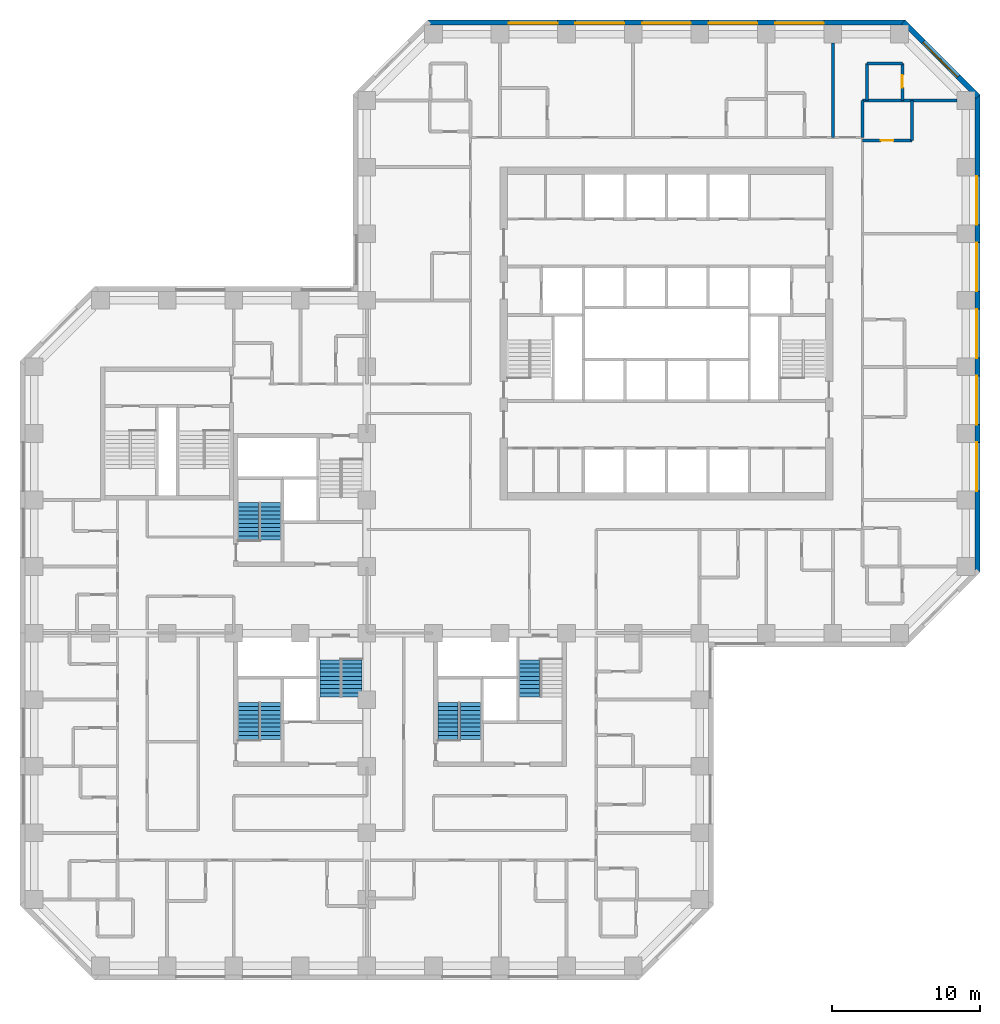
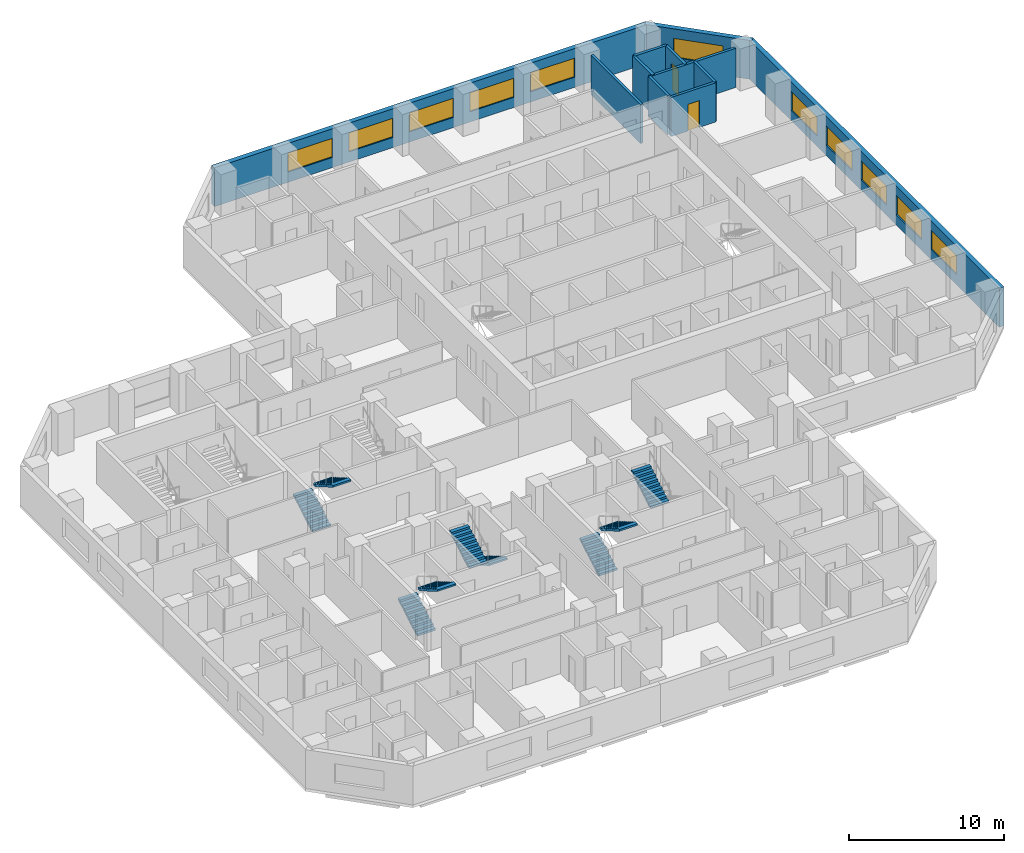
# One storey, part 10 of 12: 11 walls, 11 windows, 9 stair flights, 2 doors, 13 openings, 5 elements without a shape of their own.
"""IFC4 building model written with IfcOpenShell, lengths in metres."""

from ifc_helpers import new_model, si_unit, direction, frame, frame_2d, origin, place, context, subcontext, project, spatial, polyline, rectangle, outline, extrude, material, layer, layer_set, constituent, constituent_set, type_object, element, fill, aggregate, save


model = new_model("IFC4")

# Units and contexts
model_context = context("Model", 3, precision=1e-05, world=origin(), true_north=direction((0.0, 1.0)))
body_context = subcontext(model_context, "Body", "Model", "MODEL_VIEW")
ifc_project = project(units=[si_unit("LENGTHUNIT", "METRE"), si_unit("AREAUNIT", "SQUARE_METRE"), si_unit("VOLUMEUNIT", "CUBIC_METRE"), si_unit("PLANEANGLEUNIT", "RADIAN"), si_unit("MASSUNIT", "GRAM", prefix="KILO")], contexts=[model_context])

# Site, building, storey
site_placement = place(None, origin())
site = spatial("IfcSite", under=ifc_project, at=site_placement, CompositionType="ELEMENT")
building_placement = place(site_placement, origin())
building = spatial("IfcBuilding", under=site, at=building_placement, Name="Quoin Convention Tower", CompositionType="ELEMENT")
storey_placement = place(building_placement, frame((0.0, 0.0, 59.39990234375)))
storey = spatial("IfcBuildingStorey", under=building, at=storey_placement, Name="L15", CompositionType="ELEMENT", Elevation=59.39990234375)

# Wall, openings, windows
ifc_material_1 = material(Name="Brick masonry", Category="masonry")
ifc_layer_1 = layer(ifc_material_1, 0.35009765625)
ifc_layer_set_1 = layer_set([ifc_layer_1], Name="Brick masonry")
wall_type_1 = type_object("IfcWallType", Name="Brick facade wall", PredefinedType="STANDARD", material=ifc_layer_set_1)
wall_1_placement = place(storey_placement, frame((77.27490234375, 44.6064453125, 0.0), z_axis=(0.0, 0.0, 1.0), x_axis=(0.0, 1.0, 0.0)))
wall_1 = element("IfcWall", 1, at=wall_1_placement, inside=storey, type_object=wall_type_1, Name="fw-L15-76500_45000", PredefinedType="STANDARD", context=body_context, shape_type="SweptSolid", body=[
    extrude(rectangle(XDim=32.287109375, YDim=0.35009765625, at=frame_2d((16.1435546875, 0.0))), origin(), (0.0, 0.0, 1.0), 3.05517578125),
])
opening_1_placement = place(wall_1_placement, frame((5.493408203125, 0.0, 0.800048828125)))
opening_1 = element("IfcOpeningElement", 2, at=opening_1_placement, cuts=wall_1, Name="Opening W-01", PredefinedType="OPENING", context=body_context, shape_type="SweptSolid", body=[
    extrude(rectangle(XDim=3.300048828125, YDim=1.5, at=frame_2d((1.64990234375, 0.75))), frame((0.0, 0.18505859375, 0.0), z_axis=(0.0, -1.0, 0.0), x_axis=(1.0, 0.0, 0.0)), (0.0, 0.0, 1.0), 0.3701171875),
])
opening_2_placement = place(wall_1_placement, frame((9.993408203125, 0.0, 0.800048828125)))
opening_2 = element("IfcOpeningElement", 3, at=opening_2_placement, cuts=wall_1, Name="Opening W-01", PredefinedType="OPENING", context=body_context, shape_type="SweptSolid", body=[
    extrude(rectangle(XDim=3.300048828125, YDim=1.5, at=frame_2d((1.64990234375, 0.75))), frame((0.0, 0.18505859375, 0.0), z_axis=(0.0, -1.0, 0.0), x_axis=(1.0, 0.0, 0.0)), (0.0, 0.0, 1.0), 0.3701171875),
])
opening_3_placement = place(wall_1_placement, frame((14.493408203125, 0.0, 0.800048828125)))
opening_3 = element("IfcOpeningElement", 4, at=opening_3_placement, cuts=wall_1, Name="Opening W-01", PredefinedType="OPENING", context=body_context, shape_type="SweptSolid", body=[
    extrude(rectangle(XDim=3.300048828125, YDim=1.5, at=frame_2d((1.64990234375, 0.75))), frame((0.0, 0.18505859375, 0.0), z_axis=(0.0, -1.0, 0.0), x_axis=(1.0, 0.0, 0.0)), (0.0, 0.0, 1.0), 0.3701171875),
])
opening_4_placement = place(wall_1_placement, frame((18.993408203125, 0.0, 0.800048828125)))
opening_4 = element("IfcOpeningElement", 5, at=opening_4_placement, cuts=wall_1, Name="Opening W-01", PredefinedType="OPENING", context=body_context, shape_type="SweptSolid", body=[
    extrude(rectangle(XDim=3.300048828125, YDim=1.5, at=frame_2d((1.64990234375, 0.75))), frame((0.0, 0.18505859375, 0.0), z_axis=(0.0, -1.0, 0.0), x_axis=(1.0, 0.0, 0.0)), (0.0, 0.0, 1.0), 0.3701171875),
])
opening_5_placement = place(wall_1_placement, frame((23.493408203125, 0.0, 0.800048828125)))
opening_5 = element("IfcOpeningElement", 6, at=opening_5_placement, cuts=wall_1, Name="Opening W-01", PredefinedType="OPENING", context=body_context, shape_type="SweptSolid", body=[
    extrude(rectangle(XDim=3.300048828125, YDim=1.5, at=frame_2d((1.64990234375, 0.75))), frame((0.0, 0.18505859375, 0.0), z_axis=(0.0, -1.0, 0.0), x_axis=(1.0, 0.0, 0.0)), (0.0, 0.0, 1.0), 0.3701171875),
])
ifc_material_2 = material(Name="Aluminium", Category="aluminium")
ifc_constituent_1 = constituent(ifc_material_2, Name="Frame")
ifc_material_3 = material(Name="Insulated glass", Category="glass")
ifc_constituent_2 = constituent(ifc_material_3, Name="Glazing")
ifc_constituent_set = constituent_set(constituents=[ifc_constituent_1, ifc_constituent_2], Name="Aluminium")
window_type = type_object("IfcWindowType", Name="Hotel strip window", PartitioningType="DOUBLE_PANEL_VERTICAL", PredefinedType="WINDOW", material=ifc_constituent_set)
window_1_placement = place(opening_1_placement, origin())
window_1 = element("IfcWindow", 7, at=window_1_placement, inside=storey, type_object=window_type, Name="win-L15-77275_51750", OverallHeight=1.5, OverallWidth=3.300048828125, PartitioningType="SINGLE_PANEL", PredefinedType="WINDOW", context=body_context, shape_type="SweptSolid", body=[
    extrude(rectangle(XDim=3.300048828125, YDim=1.5, at=frame_2d((1.64990234375, 0.75))), frame((0.0, 0.0849609375, 0.0), z_axis=(0.0, -1.0, 0.0), x_axis=(1.0, 0.0, 0.0)), (0.0, 0.0, 1.0), 0.06005859375),
])
fill(opening_1, window_1)
window_2_placement = place(opening_2_placement, origin())
window_2 = element("IfcWindow", 8, at=window_2_placement, inside=storey, type_object=window_type, Name="win-L15-77275_56250", OverallHeight=1.5, OverallWidth=3.300048828125, PartitioningType="SINGLE_PANEL", PredefinedType="WINDOW", context=body_context, shape_type="SweptSolid", body=[
    extrude(rectangle(XDim=3.300048828125, YDim=1.5, at=frame_2d((1.64990234375, 0.75))), frame((0.0, 0.0849609375, 0.0), z_axis=(0.0, -1.0, 0.0), x_axis=(1.0, 0.0, 0.0)), (0.0, 0.0, 1.0), 0.06005859375),
])
fill(opening_2, window_2)
window_3_placement = place(opening_3_placement, origin())
window_3 = element("IfcWindow", 9, at=window_3_placement, inside=storey, type_object=window_type, Name="win-L15-77275_60750", OverallHeight=1.5, OverallWidth=3.300048828125, PartitioningType="SINGLE_PANEL", PredefinedType="WINDOW", context=body_context, shape_type="SweptSolid", body=[
    extrude(rectangle(XDim=3.300048828125, YDim=1.5, at=frame_2d((1.64990234375, 0.75))), frame((0.0, 0.0849609375, 0.0), z_axis=(0.0, -1.0, 0.0), x_axis=(1.0, 0.0, 0.0)), (0.0, 0.0, 1.0), 0.06005859375),
])
fill(opening_3, window_3)
window_4_placement = place(opening_4_placement, origin())
window_4 = element("IfcWindow", 10, at=window_4_placement, inside=storey, type_object=window_type, Name="win-L15-77275_65250", OverallHeight=1.5, OverallWidth=3.300048828125, PartitioningType="SINGLE_PANEL", PredefinedType="WINDOW", context=body_context, shape_type="SweptSolid", body=[
    extrude(rectangle(XDim=3.300048828125, YDim=1.5, at=frame_2d((1.64990234375, 0.75))), frame((0.0, 0.0849609375, 0.0), z_axis=(0.0, -1.0, 0.0), x_axis=(1.0, 0.0, 0.0)), (0.0, 0.0, 1.0), 0.06005859375),
])
fill(opening_4, window_4)
window_5_placement = place(opening_5_placement, origin())
window_5 = element("IfcWindow", 11, at=window_5_placement, inside=storey, type_object=window_type, Name="win-L15-77275_69750", OverallHeight=1.5, OverallWidth=3.300048828125, PartitioningType="SINGLE_PANEL", PredefinedType="WINDOW", context=body_context, shape_type="SweptSolid", body=[
    extrude(rectangle(XDim=3.300048828125, YDim=1.5, at=frame_2d((1.64990234375, 0.75))), frame((0.0, 0.0849609375, 0.0), z_axis=(0.0, -1.0, 0.0), x_axis=(1.0, 0.0, 0.0)), (0.0, 0.0, 1.0), 0.06005859375),
])
fill(opening_5, window_5)

# Wall, opening, window
wall_2_placement = place(storey_placement, frame((77.326416015625, 76.769775390625, 0.0), z_axis=(0.0, 0.0, 1.0), x_axis=(-0.707106781187, 0.707106781187, 0.0)))
wall_2 = element("IfcWall", 12, at=wall_2_placement, inside=storey, type_object=wall_type_1, Name="fw-L15-76500_76500", PredefinedType="STANDARD", context=body_context, shape_type="SweptSolid", body=[
    extrude(rectangle(XDim=7.151123046875, YDim=0.35009765625, at=frame_2d((3.57568359375, 0.0))), origin(), (0.0, 0.0, 1.0), 3.05517578125),
])
opening_6_placement = place(wall_2_placement, frame((1.925537109375, 0.0, 0.800048828125)))
opening_6 = element("IfcOpeningElement", 13, at=opening_6_placement, cuts=wall_2, Name="Opening W-01", PredefinedType="OPENING", context=body_context, shape_type="SweptSolid", body=[
    extrude(rectangle(XDim=3.300048828125, YDim=1.5, at=frame_2d((1.64990234375, 0.75))), frame((0.0, 0.18505859375, 0.0), z_axis=(0.0, -1.0, 0.0), x_axis=(1.0, 0.0, 0.0)), (0.0, 0.0, 1.0), 0.3701171875),
])
window_6_placement = place(opening_6_placement, origin())
window_6 = element("IfcWindow", 14, at=window_6_placement, inside=storey, type_object=window_type, Name="win-L15-74798_79298", OverallHeight=1.5, OverallWidth=3.300048828125, PartitioningType="SINGLE_PANEL", PredefinedType="WINDOW", context=body_context, shape_type="SweptSolid", body=[
    extrude(rectangle(XDim=3.300048828125, YDim=1.5, at=frame_2d((1.64990234375, 0.75))), frame((0.0, 0.0849609375, 0.0), z_axis=(0.0, -1.0, 0.0), x_axis=(1.0, 0.0, 0.0)), (0.0, 0.0, 1.0), 0.06005859375),
])
fill(opening_6, window_6)

# Wall, openings, windows
wall_3_placement = place(storey_placement, frame((72.3935546875, 81.77490234375, 0.0), z_axis=(0.0, 0.0, 1.0), x_axis=(-1.0, 0.0, 0.0)))
wall_3 = element("IfcWall", 15, at=wall_3_placement, inside=storey, type_object=wall_type_1, Name="fw-L15-72000_81000", PredefinedType="STANDARD", context=body_context, shape_type="SweptSolid", body=[
    extrude(rectangle(XDim=32.287109375, YDim=0.35009765625, at=frame_2d((16.1435546875, 0.0))), origin(), (0.0, 0.0, 1.0), 3.05517578125),
])
opening_7_placement = place(wall_3_placement, frame((5.493408203125, 0.0, 0.800048828125)))
opening_7 = element("IfcOpeningElement", 16, at=opening_7_placement, cuts=wall_3, Name="Opening W-01", PredefinedType="OPENING", context=body_context, shape_type="SweptSolid", body=[
    extrude(rectangle(XDim=3.300048828125, YDim=1.5, at=frame_2d((1.64990234375, 0.75))), frame((0.0, 0.18505859375, 0.0), z_axis=(0.0, -1.0, 0.0), x_axis=(1.0, 0.0, 0.0)), (0.0, 0.0, 1.0), 0.3701171875),
])
opening_8_placement = place(wall_3_placement, frame((9.993408203125, 0.0, 0.800048828125)))
opening_8 = element("IfcOpeningElement", 17, at=opening_8_placement, cuts=wall_3, Name="Opening W-01", PredefinedType="OPENING", context=body_context, shape_type="SweptSolid", body=[
    extrude(rectangle(XDim=3.300048828125, YDim=1.5, at=frame_2d((1.64990234375, 0.75))), frame((0.0, 0.18505859375, 0.0), z_axis=(0.0, -1.0, 0.0), x_axis=(1.0, 0.0, 0.0)), (0.0, 0.0, 1.0), 0.3701171875),
])
opening_9_placement = place(wall_3_placement, frame((14.493408203125, 0.0, 0.800048828125)))
opening_9 = element("IfcOpeningElement", 18, at=opening_9_placement, cuts=wall_3, Name="Opening W-01", PredefinedType="OPENING", context=body_context, shape_type="SweptSolid", body=[
    extrude(rectangle(XDim=3.300048828125, YDim=1.5, at=frame_2d((1.64990234375, 0.75))), frame((0.0, 0.18505859375, 0.0), z_axis=(0.0, -1.0, 0.0), x_axis=(1.0, 0.0, 0.0)), (0.0, 0.0, 1.0), 0.3701171875),
])
opening_10_placement = place(wall_3_placement, frame((18.993408203125, 0.0, 0.800048828125)))
opening_10 = element("IfcOpeningElement", 19, at=opening_10_placement, cuts=wall_3, Name="Opening W-01", PredefinedType="OPENING", context=body_context, shape_type="SweptSolid", body=[
    extrude(rectangle(XDim=3.300048828125, YDim=1.5, at=frame_2d((1.64990234375, 0.75))), frame((0.0, 0.18505859375, 0.0), z_axis=(0.0, -1.0, 0.0), x_axis=(1.0, 0.0, 0.0)), (0.0, 0.0, 1.0), 0.3701171875),
])
opening_11_placement = place(wall_3_placement, frame((23.493408203125, 0.0, 0.800048828125)))
opening_11 = element("IfcOpeningElement", 20, at=opening_11_placement, cuts=wall_3, Name="Opening W-01", PredefinedType="OPENING", context=body_context, shape_type="SweptSolid", body=[
    extrude(rectangle(XDim=3.300048828125, YDim=1.5, at=frame_2d((1.64990234375, 0.75))), frame((0.0, 0.18505859375, 0.0), z_axis=(0.0, -1.0, 0.0), x_axis=(1.0, 0.0, 0.0)), (0.0, 0.0, 1.0), 0.3701171875),
])
window_7_placement = place(opening_7_placement, origin())
window_7 = element("IfcWindow", 21, at=window_7_placement, inside=storey, type_object=window_type, Name="win-L15-65250_81775", OverallHeight=1.5, OverallWidth=3.300048828125, PartitioningType="SINGLE_PANEL", PredefinedType="WINDOW", context=body_context, shape_type="SweptSolid", body=[
    extrude(rectangle(XDim=3.300048828125, YDim=1.5, at=frame_2d((1.64990234375, 0.75))), frame((0.0, 0.0849609375, 0.0), z_axis=(0.0, -1.0, 0.0), x_axis=(1.0, 0.0, 0.0)), (0.0, 0.0, 1.0), 0.06005859375),
])
fill(opening_7, window_7)
window_8_placement = place(opening_8_placement, origin())
window_8 = element("IfcWindow", 22, at=window_8_placement, inside=storey, type_object=window_type, Name="win-L15-60750_81775", OverallHeight=1.5, OverallWidth=3.300048828125, PartitioningType="SINGLE_PANEL", PredefinedType="WINDOW", context=body_context, shape_type="SweptSolid", body=[
    extrude(rectangle(XDim=3.300048828125, YDim=1.5, at=frame_2d((1.64990234375, 0.75))), frame((0.0, 0.0849609375, 0.0), z_axis=(0.0, -1.0, 0.0), x_axis=(1.0, 0.0, 0.0)), (0.0, 0.0, 1.0), 0.06005859375),
])
fill(opening_8, window_8)
window_9_placement = place(opening_9_placement, origin())
window_9 = element("IfcWindow", 23, at=window_9_placement, inside=storey, type_object=window_type, Name="win-L15-56250_81775", OverallHeight=1.5, OverallWidth=3.300048828125, PartitioningType="SINGLE_PANEL", PredefinedType="WINDOW", context=body_context, shape_type="SweptSolid", body=[
    extrude(rectangle(XDim=3.300048828125, YDim=1.5, at=frame_2d((1.64990234375, 0.75))), frame((0.0, 0.0849609375, 0.0), z_axis=(0.0, -1.0, 0.0), x_axis=(1.0, 0.0, 0.0)), (0.0, 0.0, 1.0), 0.06005859375),
])
fill(opening_9, window_9)
window_10_placement = place(opening_10_placement, origin())
window_10 = element("IfcWindow", 24, at=window_10_placement, inside=storey, type_object=window_type, Name="win-L15-51750_81775", OverallHeight=1.5, OverallWidth=3.300048828125, PartitioningType="SINGLE_PANEL", PredefinedType="WINDOW", context=body_context, shape_type="SweptSolid", body=[
    extrude(rectangle(XDim=3.300048828125, YDim=1.5, at=frame_2d((1.64990234375, 0.75))), frame((0.0, 0.0849609375, 0.0), z_axis=(0.0, -1.0, 0.0), x_axis=(1.0, 0.0, 0.0)), (0.0, 0.0, 1.0), 0.06005859375),
])
fill(opening_10, window_10)
window_11_placement = place(opening_11_placement, origin())
window_11 = element("IfcWindow", 25, at=window_11_placement, inside=storey, type_object=window_type, Name="win-L15-47250_81775", OverallHeight=1.5, OverallWidth=3.300048828125, PartitioningType="SINGLE_PANEL", PredefinedType="WINDOW", context=body_context, shape_type="SweptSolid", body=[
    extrude(rectangle(XDim=3.300048828125, YDim=1.5, at=frame_2d((1.64990234375, 0.75))), frame((0.0, 0.0849609375, 0.0), z_axis=(0.0, -1.0, 0.0), x_axis=(1.0, 0.0, 0.0)), (0.0, 0.0, 1.0), 0.06005859375),
])
fill(opening_11, window_11)

# Wall, opening, door
ifc_material_4 = material(Name="Concrete C50", Category="concrete")
ifc_layer_2 = layer(ifc_material_4, 0.199951171875)
ifc_layer_set_2 = layer_set([ifc_layer_2], Name="Concrete C50")
wall_type_2 = type_object("IfcWallType", Name="RC party wall", PredefinedType="SOLIDWALL", material=ifc_layer_set_2)
wall_4_placement = place(storey_placement, frame((69.5, 73.800048828125, 0.0), z_axis=(0.0, 0.0, 1.0), x_axis=(1.0, 0.0, 0.0)))
wall_4 = element("IfcWall", 26, at=wall_4_placement, inside=storey, type_object=wall_type_2, Name="pw-L15-130", PredefinedType="SOLIDWALL", context=body_context, shape_type="SweptSolid", body=[
    extrude(rectangle(XDim=3.35009765625, YDim=0.199951171875, at=frame_2d((1.675048828125, 0.0))), origin(), (0.0, 0.0, 1.0), 3.080078125),
])
opening_12_placement = place(wall_4_placement, frame((1.25, 0.0, 0.0)))
opening_12 = element("IfcOpeningElement", 27, at=opening_12_placement, cuts=wall_4, Name="Opening DHOTEL-D-67", PredefinedType="OPENING", context=body_context, shape_type="SweptSolid", body=[
    extrude(rectangle(XDim=0.85009765625, YDim=2.10009765625, at=frame_2d((0.425048828125, 1.050048828125))), frame((0.0, 0.10986328125, 0.0), z_axis=(0.0, -1.0, 0.0), x_axis=(1.0, 0.0, 0.0)), (0.0, 0.0, 1.0), 0.219970703125),
])
ifc_material_5 = material(Name="Steel door leaf", Category="steel")
door_type = type_object("IfcDoorType", Name="Bathroom door", OperationType="SINGLE_SWING_LEFT", PredefinedType="DOOR", material=ifc_material_5)
door_1_placement = place(opening_12_placement, frame((0.85009765625, 0.0, 0.0), z_axis=(0.0, 0.0, 1.0), x_axis=(-1.0, 0.0, 0.0)))
door_1 = element("IfcDoor", 28, at=door_1_placement, inside=storey, type_object=door_type, Name="dr-L15-048", OperationType="SINGLE_SWING_RIGHT", OverallHeight=2.10009765625, OverallWidth=0.85009765625, PredefinedType="DOOR", context=body_context, shape_type="SweptSolid", body=[
    extrude(rectangle(XDim=0.85009765625, YDim=2.10009765625, at=frame_2d((0.425048828125, 1.050048828125))), frame((0.0, 0.02490234375, 0.0), z_axis=(0.0, -1.0, 0.0), x_axis=(1.0, 0.0, 0.0)), (0.0, 0.0, 1.0), 0.050048828125),
])
fill(opening_12, door_1)

# Walls
wall_5_placement = place(storey_placement, frame((72.85009765625, 73.800048828125, 0.0), z_axis=(0.0, 0.0, 1.0), x_axis=(0.0, 1.0, 0.0)))
element("IfcWall", 29, at=wall_5_placement, inside=storey, type_object=wall_type_2, Name="pw-L15-131", PredefinedType="SOLIDWALL", context=body_context, shape_type="SweptSolid", body=[
    extrude(rectangle(XDim=2.699951171875, YDim=0.199951171875, at=frame_2d((1.35009765625, 0.0))), origin(), (0.0, 0.0, 1.0), 3.080078125),
])
wall_6_placement = place(storey_placement, frame((67.5, 74.0, 0.0), z_axis=(0.0, 0.0, 1.0), x_axis=(0.0, 1.0, 0.0)))
element("IfcWall", 30, at=wall_6_placement, inside=storey, type_object=wall_type_2, Name="pw-L15-139", PredefinedType="SOLIDWALL", context=body_context, shape_type="SweptSolid", body=[
    extrude(rectangle(XDim=6.39990234375, YDim=0.199951171875, at=frame_2d((3.199951171875, 0.0))), origin(), (0.0, 0.0, 1.0), 3.080078125),
])
wall_7_placement = place(storey_placement, frame((69.5, 74.0, 0.0), z_axis=(0.0, 0.0, 1.0), x_axis=(0.0, 1.0, 0.0)))
element("IfcWall", 31, at=wall_7_placement, inside=storey, type_object=wall_type_2, Name="pw-L15-140", PredefinedType="SOLIDWALL", context=body_context, shape_type="SweptSolid", body=[
    extrude(rectangle(XDim=2.5, YDim=0.199951171875, at=frame_2d((1.25, 0.0))), origin(), (0.0, 0.0, 1.0), 3.080078125),
])
wall_8_placement = place(storey_placement, frame((69.5, 76.5, 0.0), z_axis=(0.0, 0.0, 1.0), x_axis=(1.0, 0.0, 0.0)))
element("IfcWall", 32, at=wall_8_placement, inside=storey, type_object=wall_type_2, Name="pw-L15-146", PredefinedType="SOLIDWALL", context=body_context, shape_type="SweptSolid", body=[
    extrude(rectangle(XDim=6.39990234375, YDim=0.199951171875, at=frame_2d((3.199951171875, 0.0))), origin(), (0.0, 0.0, 1.0), 3.080078125),
])
wall_9_placement = place(storey_placement, frame((69.800048828125, 76.5, 0.0), z_axis=(0.0, 0.0, 1.0), x_axis=(0.0, 1.0, 0.0)))
element("IfcWall", 33, at=wall_9_placement, inside=storey, type_object=wall_type_2, Name="pw-L15-147", PredefinedType="SOLIDWALL", context=body_context, shape_type="SweptSolid", body=[
    extrude(rectangle(XDim=2.5, YDim=0.199951171875, at=frame_2d((1.25, 0.0))), origin(), (0.0, 0.0, 1.0), 3.080078125),
])

# Wall, opening, door
wall_10_placement = place(storey_placement, frame((72.199951171875, 76.5, 0.0), z_axis=(0.0, 0.0, 1.0), x_axis=(0.0, 1.0, 0.0)))
wall_10 = element("IfcWall", 34, at=wall_10_placement, inside=storey, type_object=wall_type_2, Name="pw-L15-148", PredefinedType="SOLIDWALL", context=body_context, shape_type="SweptSolid", body=[
    extrude(rectangle(XDim=2.5, YDim=0.199951171875, at=frame_2d((1.25, 0.0))), origin(), (0.0, 0.0, 1.0), 3.080078125),
])
opening_13_placement = place(wall_10_placement, frame((0.875, 0.0, 0.0)))
opening_13 = element("IfcOpeningElement", 35, at=opening_13_placement, cuts=wall_10, Name="Opening DHOTEL-D-73", PredefinedType="OPENING", context=body_context, shape_type="SweptSolid", body=[
    extrude(rectangle(XDim=0.85009765625, YDim=2.10009765625, at=frame_2d((0.425048828125, 1.050048828125))), frame((0.0, 0.10986328125, 0.0), z_axis=(0.0, -1.0, 0.0), x_axis=(1.0, 0.0, 0.0)), (0.0, 0.0, 1.0), 0.219970703125),
])
door_2_placement = place(opening_13_placement, frame((0.85009765625, 0.0, 0.0), z_axis=(0.0, 0.0, 1.0), x_axis=(-1.0, 0.0, 0.0)))
door_2 = element("IfcDoor", 36, at=door_2_placement, inside=storey, type_object=door_type, Name="dr-L15-068", OperationType="SINGLE_SWING_LEFT", OverallHeight=2.10009765625, OverallWidth=0.85009765625, PredefinedType="DOOR", context=body_context, shape_type="SweptSolid", body=[
    extrude(rectangle(XDim=0.85009765625, YDim=2.10009765625, at=frame_2d((0.425048828125, 1.050048828125))), frame((0.0, 0.02490234375, 0.0), z_axis=(0.0, -1.0, 0.0), x_axis=(1.0, 0.0, 0.0)), (0.0, 0.0, 1.0), 0.050048828125),
])
fill(opening_13, door_2)

# Wall
wall_11_placement = place(storey_placement, frame((69.800048828125, 79.0, 0.0), z_axis=(0.0, 0.0, 1.0), x_axis=(1.0, 0.0, 0.0)))
element("IfcWall", 37, at=wall_11_placement, inside=storey, type_object=wall_type_2, Name="pw-L15-153", PredefinedType="SOLIDWALL", context=body_context, shape_type="SweptSolid", body=[
    extrude(rectangle(XDim=2.39990234375, YDim=0.199951171875, at=frame_2d((1.199951171875, 0.0))), origin(), (0.0, 0.0, 1.0), 3.080078125),
])

# Stair, stair flights
ifc_material_6 = material(Name="Concrete C40", Category="concrete")
stair_type = type_object("IfcStairType", Name="Exit stair two-flight 1350", PredefinedType="HALF_TURN_STAIR", material=ifc_material_6)
stair_1_placement = place(storey_placement, origin())
stair_1 = element("IfcStair", 38, at=stair_1_placement, inside=storey, type_object=stair_type, Name="SD3 L15", PredefinedType="HALF_TURN_STAIR")
stair_flight_type = type_object("IfcStairFlightType", Name="Stair flight 1350", PredefinedType="STRAIGHT", material=ifc_material_6)
stair_flight_1_placement = place(storey_placement, frame((28.0, 46.800048828125, 0.0), z_axis=(0.0, 0.0, 1.0), x_axis=(0.0, 1.0, 0.0)))
stair_flight_1 = element("IfcStairFlight", 39, at=stair_flight_1_placement, type_object=stair_flight_type, Name="ST3 flight 1", NumberOfRisers=10, NumberOfTreads=9, PredefinedType="STRAIGHT", RiserHeight=0.165, TreadLength=0.28, context=body_context, shape_type="SweptSolid", body=[
    extrude(outline(polyline([(0.0, 0.0), (0.0, 0.1650390625), (0.280029296875, 0.1650390625), (0.280029296875, 0.330078125), (0.56005859375, 0.330078125), (0.56005859375, 0.4951171875), (0.840087890625, 0.4951171875), (0.840087890625, 0.659912109375), (1.1201171875, 0.659912109375), (1.1201171875, 0.824951171875), (1.39990234375, 0.824951171875), (1.39990234375, 0.989990234375), (1.679931640625, 0.989990234375), (1.679931640625, 1.155029296875), (1.9599609375, 1.155029296875), (1.9599609375, 1.320068359375), (2.239990234375, 1.320068359375), (2.239990234375, 1.485107421875), (2.52001953125, 1.485107421875), (2.52001953125, 1.64990234375), (2.52001953125, 1.345458984375), (0.236572265625, 0.0), (0.0, 0.0)])), frame((0.0, 0.675048828125, 0.0), z_axis=(0.0, -1.0, 0.0), x_axis=(1.0, 0.0, 0.0)), (0.0, 0.0, 1.0), 1.35009765625),
])
stair_flight_2_placement = place(storey_placement, frame((29.5, 49.320068359375, 1.650146484375), z_axis=(0.0, 0.0, 1.0), x_axis=(0.0, -1.0, 0.0)))
stair_flight_2 = element("IfcStairFlight", 40, at=stair_flight_2_placement, type_object=stair_flight_type, Name="ST3 flight 2", NumberOfRisers=10, NumberOfTreads=9, PredefinedType="STRAIGHT", RiserHeight=0.165, TreadLength=0.28, context=body_context, shape_type="SweptSolid", body=[
    extrude(outline(polyline([(0.0, 0.0), (0.0, 0.1650390625), (0.280029296875, 0.1650390625), (0.280029296875, 0.330078125), (0.56005859375, 0.330078125), (0.56005859375, 0.4951171875), (0.840087890625, 0.4951171875), (0.840087890625, 0.659912109375), (1.1201171875, 0.659912109375), (1.1201171875, 0.824951171875), (1.39990234375, 0.824951171875), (1.39990234375, 0.989990234375), (1.679931640625, 0.989990234375), (1.679931640625, 1.155029296875), (1.9599609375, 1.155029296875), (1.9599609375, 1.320068359375), (2.239990234375, 1.320068359375), (2.239990234375, 1.485107421875), (2.52001953125, 1.485107421875), (2.52001953125, 1.64990234375), (2.52001953125, 1.345458984375), (0.236572265625, 0.0), (0.0, 0.0)])), frame((0.0, 0.675048828125, 0.0), z_axis=(0.0, -1.0, 0.0), x_axis=(1.0, 0.0, 0.0)), (0.0, 0.0, 1.0), 1.35009765625),
])
aggregate(stair_1, [stair_flight_1, stair_flight_2])

stair_2_placement = place(storey_placement, origin())
stair_2 = element("IfcStair", 41, at=stair_2_placement, inside=storey, type_object=stair_type, Name="SD5 L15", PredefinedType="HALF_TURN_STAIR")
stair_flight_3_placement = place(storey_placement, frame((41.5, 33.300048828125, 0.0), z_axis=(0.0, 0.0, 1.0), x_axis=(0.0, 1.0, 0.0)))
stair_flight_3 = element("IfcStairFlight", 42, at=stair_flight_3_placement, type_object=stair_flight_type, Name="ST5 flight 1", NumberOfRisers=10, NumberOfTreads=9, PredefinedType="STRAIGHT", RiserHeight=0.165, TreadLength=0.28, context=body_context, shape_type="SweptSolid", body=[
    extrude(outline(polyline([(0.0, 0.0), (0.0, 0.1650390625), (0.280029296875, 0.1650390625), (0.280029296875, 0.330078125), (0.56005859375, 0.330078125), (0.56005859375, 0.4951171875), (0.840087890625, 0.4951171875), (0.840087890625, 0.659912109375), (1.1201171875, 0.659912109375), (1.1201171875, 0.824951171875), (1.39990234375, 0.824951171875), (1.39990234375, 0.989990234375), (1.679931640625, 0.989990234375), (1.679931640625, 1.155029296875), (1.9599609375, 1.155029296875), (1.9599609375, 1.320068359375), (2.239990234375, 1.320068359375), (2.239990234375, 1.485107421875), (2.52001953125, 1.485107421875), (2.52001953125, 1.64990234375), (2.52001953125, 1.345458984375), (0.236572265625, 0.0), (0.0, 0.0)])), frame((0.0, 0.675048828125, 0.0), z_axis=(0.0, -1.0, 0.0), x_axis=(1.0, 0.0, 0.0)), (0.0, 0.0, 1.0), 1.35009765625),
])
stair_flight_4_placement = place(storey_placement, frame((43.0, 35.820068359375, 1.650146484375), z_axis=(0.0, 0.0, 1.0), x_axis=(0.0, -1.0, 0.0)))
stair_flight_4 = element("IfcStairFlight", 43, at=stair_flight_4_placement, type_object=stair_flight_type, Name="ST5 flight 2", NumberOfRisers=10, NumberOfTreads=9, PredefinedType="STRAIGHT", RiserHeight=0.165, TreadLength=0.28, context=body_context, shape_type="SweptSolid", body=[
    extrude(outline(polyline([(0.0, 0.0), (0.0, 0.1650390625), (0.280029296875, 0.1650390625), (0.280029296875, 0.330078125), (0.56005859375, 0.330078125), (0.56005859375, 0.4951171875), (0.840087890625, 0.4951171875), (0.840087890625, 0.659912109375), (1.1201171875, 0.659912109375), (1.1201171875, 0.824951171875), (1.39990234375, 0.824951171875), (1.39990234375, 0.989990234375), (1.679931640625, 0.989990234375), (1.679931640625, 1.155029296875), (1.9599609375, 1.155029296875), (1.9599609375, 1.320068359375), (2.239990234375, 1.320068359375), (2.239990234375, 1.485107421875), (2.52001953125, 1.485107421875), (2.52001953125, 1.64990234375), (2.52001953125, 1.345458984375), (0.236572265625, 0.0), (0.0, 0.0)])), frame((0.0, 0.675048828125, 0.0), z_axis=(0.0, -1.0, 0.0), x_axis=(1.0, 0.0, 0.0)), (0.0, 0.0, 1.0), 1.35009765625),
])
aggregate(stair_2, [stair_flight_3, stair_flight_4])

# Stair, stair flight
stair_3_placement = place(storey_placement, origin())
stair_3 = element("IfcStair", 44, at=stair_3_placement, inside=storey, type_object=stair_type, Name="SD6 L15", PredefinedType="HALF_TURN_STAIR")
stair_flight_5_placement = place(storey_placement, frame((47.0, 36.179931640625, 1.650146484375), z_axis=(0.0, 0.0, 1.0), x_axis=(0.0, 1.0, 0.0)))
stair_flight_5 = element("IfcStairFlight", 45, at=stair_flight_5_placement, type_object=stair_flight_type, Name="ST6 flight 2", NumberOfRisers=10, NumberOfTreads=9, PredefinedType="STRAIGHT", RiserHeight=0.165, TreadLength=0.28, context=body_context, shape_type="SweptSolid", body=[
    extrude(outline(polyline([(0.0, 0.0), (0.0, 0.1650390625), (0.280029296875, 0.1650390625), (0.280029296875, 0.330078125), (0.56005859375, 0.330078125), (0.56005859375, 0.4951171875), (0.840087890625, 0.4951171875), (0.840087890625, 0.659912109375), (1.1201171875, 0.659912109375), (1.1201171875, 0.824951171875), (1.39990234375, 0.824951171875), (1.39990234375, 0.989990234375), (1.679931640625, 0.989990234375), (1.679931640625, 1.155029296875), (1.9599609375, 1.155029296875), (1.9599609375, 1.320068359375), (2.239990234375, 1.320068359375), (2.239990234375, 1.485107421875), (2.52001953125, 1.485107421875), (2.52001953125, 1.64990234375), (2.52001953125, 1.345458984375), (0.236572265625, 0.0), (0.0, 0.0)])), frame((0.0, 0.675048828125, 0.0), z_axis=(0.0, -1.0, 0.0), x_axis=(1.0, 0.0, 0.0)), (0.0, 0.0, 1.0), 1.35009765625),
])
aggregate(stair_3, [stair_flight_5])

# Stair, stair flights
stair_4_placement = place(storey_placement, origin())
stair_4 = element("IfcStair", 46, at=stair_4_placement, inside=storey, type_object=stair_type, Name="SD7 L15", PredefinedType="HALF_TURN_STAIR")
stair_flight_6_placement = place(storey_placement, frame((28.0, 33.300048828125, 0.0), z_axis=(0.0, 0.0, 1.0), x_axis=(0.0, 1.0, 0.0)))
stair_flight_6 = element("IfcStairFlight", 47, at=stair_flight_6_placement, type_object=stair_flight_type, Name="ST7 flight 1", NumberOfRisers=10, NumberOfTreads=9, PredefinedType="STRAIGHT", RiserHeight=0.165, TreadLength=0.28, context=body_context, shape_type="SweptSolid", body=[
    extrude(outline(polyline([(0.0, 0.0), (0.0, 0.1650390625), (0.280029296875, 0.1650390625), (0.280029296875, 0.330078125), (0.56005859375, 0.330078125), (0.56005859375, 0.4951171875), (0.840087890625, 0.4951171875), (0.840087890625, 0.659912109375), (1.1201171875, 0.659912109375), (1.1201171875, 0.824951171875), (1.39990234375, 0.824951171875), (1.39990234375, 0.989990234375), (1.679931640625, 0.989990234375), (1.679931640625, 1.155029296875), (1.9599609375, 1.155029296875), (1.9599609375, 1.320068359375), (2.239990234375, 1.320068359375), (2.239990234375, 1.485107421875), (2.52001953125, 1.485107421875), (2.52001953125, 1.64990234375), (2.52001953125, 1.345458984375), (0.236572265625, 0.0), (0.0, 0.0)])), frame((0.0, 0.675048828125, 0.0), z_axis=(0.0, -1.0, 0.0), x_axis=(1.0, 0.0, 0.0)), (0.0, 0.0, 1.0), 1.35009765625),
])
stair_flight_7_placement = place(storey_placement, frame((29.5, 35.820068359375, 1.650146484375), z_axis=(0.0, 0.0, 1.0), x_axis=(0.0, -1.0, 0.0)))
stair_flight_7 = element("IfcStairFlight", 48, at=stair_flight_7_placement, type_object=stair_flight_type, Name="ST7 flight 2", NumberOfRisers=10, NumberOfTreads=9, PredefinedType="STRAIGHT", RiserHeight=0.165, TreadLength=0.28, context=body_context, shape_type="SweptSolid", body=[
    extrude(outline(polyline([(0.0, 0.0), (0.0, 0.1650390625), (0.280029296875, 0.1650390625), (0.280029296875, 0.330078125), (0.56005859375, 0.330078125), (0.56005859375, 0.4951171875), (0.840087890625, 0.4951171875), (0.840087890625, 0.659912109375), (1.1201171875, 0.659912109375), (1.1201171875, 0.824951171875), (1.39990234375, 0.824951171875), (1.39990234375, 0.989990234375), (1.679931640625, 0.989990234375), (1.679931640625, 1.155029296875), (1.9599609375, 1.155029296875), (1.9599609375, 1.320068359375), (2.239990234375, 1.320068359375), (2.239990234375, 1.485107421875), (2.52001953125, 1.485107421875), (2.52001953125, 1.64990234375), (2.52001953125, 1.345458984375), (0.236572265625, 0.0), (0.0, 0.0)])), frame((0.0, 0.675048828125, 0.0), z_axis=(0.0, -1.0, 0.0), x_axis=(1.0, 0.0, 0.0)), (0.0, 0.0, 1.0), 1.35009765625),
])
aggregate(stair_4, [stair_flight_6, stair_flight_7])

stair_5_placement = place(storey_placement, origin())
stair_5 = element("IfcStair", 49, at=stair_5_placement, inside=storey, type_object=stair_type, Name="SD8 L15", PredefinedType="HALF_TURN_STAIR")
stair_flight_8_placement = place(storey_placement, frame((35.0, 38.699951171875, 0.0), z_axis=(0.0, 0.0, 1.0), x_axis=(0.0, -1.0, 0.0)))
stair_flight_8 = element("IfcStairFlight", 50, at=stair_flight_8_placement, type_object=stair_flight_type, Name="ST8 flight 1", NumberOfRisers=10, NumberOfTreads=9, PredefinedType="STRAIGHT", RiserHeight=0.165, TreadLength=0.28, context=body_context, shape_type="SweptSolid", body=[
    extrude(outline(polyline([(0.0, 0.0), (0.0, 0.1650390625), (0.280029296875, 0.1650390625), (0.280029296875, 0.330078125), (0.56005859375, 0.330078125), (0.56005859375, 0.4951171875), (0.840087890625, 0.4951171875), (0.840087890625, 0.659912109375), (1.1201171875, 0.659912109375), (1.1201171875, 0.824951171875), (1.39990234375, 0.824951171875), (1.39990234375, 0.989990234375), (1.679931640625, 0.989990234375), (1.679931640625, 1.155029296875), (1.9599609375, 1.155029296875), (1.9599609375, 1.320068359375), (2.239990234375, 1.320068359375), (2.239990234375, 1.485107421875), (2.52001953125, 1.485107421875), (2.52001953125, 1.64990234375), (2.52001953125, 1.345458984375), (0.236572265625, 0.0), (0.0, 0.0)])), frame((0.0, 0.675048828125, 0.0), z_axis=(0.0, -1.0, 0.0), x_axis=(1.0, 0.0, 0.0)), (0.0, 0.0, 1.0), 1.35009765625),
])
stair_flight_9_placement = place(storey_placement, frame((33.5, 36.179931640625, 1.650146484375), z_axis=(0.0, 0.0, 1.0), x_axis=(0.0, 1.0, 0.0)))
stair_flight_9 = element("IfcStairFlight", 51, at=stair_flight_9_placement, type_object=stair_flight_type, Name="ST8 flight 2", NumberOfRisers=10, NumberOfTreads=9, PredefinedType="STRAIGHT", RiserHeight=0.165, TreadLength=0.28, context=body_context, shape_type="SweptSolid", body=[
    extrude(outline(polyline([(0.0, 0.0), (0.0, 0.1650390625), (0.280029296875, 0.1650390625), (0.280029296875, 0.330078125), (0.56005859375, 0.330078125), (0.56005859375, 0.4951171875), (0.840087890625, 0.4951171875), (0.840087890625, 0.659912109375), (1.1201171875, 0.659912109375), (1.1201171875, 0.824951171875), (1.39990234375, 0.824951171875), (1.39990234375, 0.989990234375), (1.679931640625, 0.989990234375), (1.679931640625, 1.155029296875), (1.9599609375, 1.155029296875), (1.9599609375, 1.320068359375), (2.239990234375, 1.320068359375), (2.239990234375, 1.485107421875), (2.52001953125, 1.485107421875), (2.52001953125, 1.64990234375), (2.52001953125, 1.345458984375), (0.236572265625, 0.0), (0.0, 0.0)])), frame((0.0, 0.675048828125, 0.0), z_axis=(0.0, -1.0, 0.0), x_axis=(1.0, 0.0, 0.0)), (0.0, 0.0, 1.0), 1.35009765625),
])
aggregate(stair_5, [stair_flight_8, stair_flight_9])

save(model, "model.ifc")
